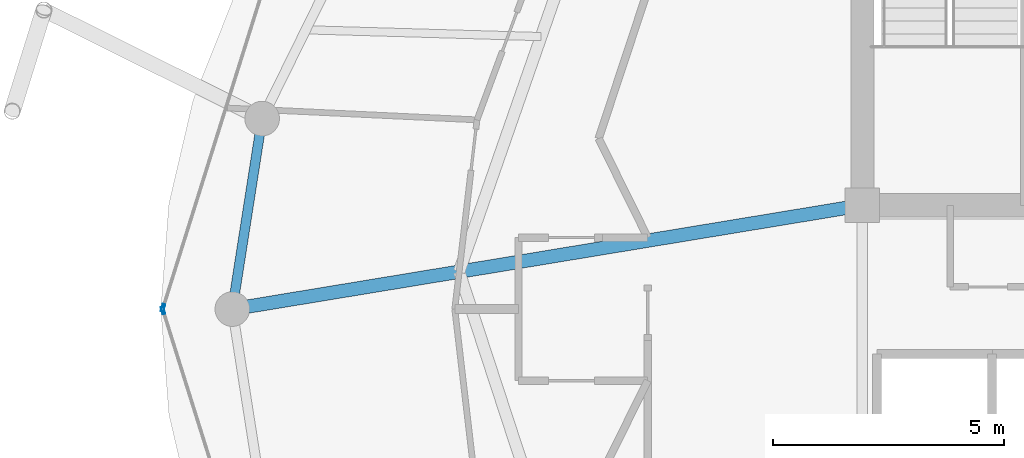
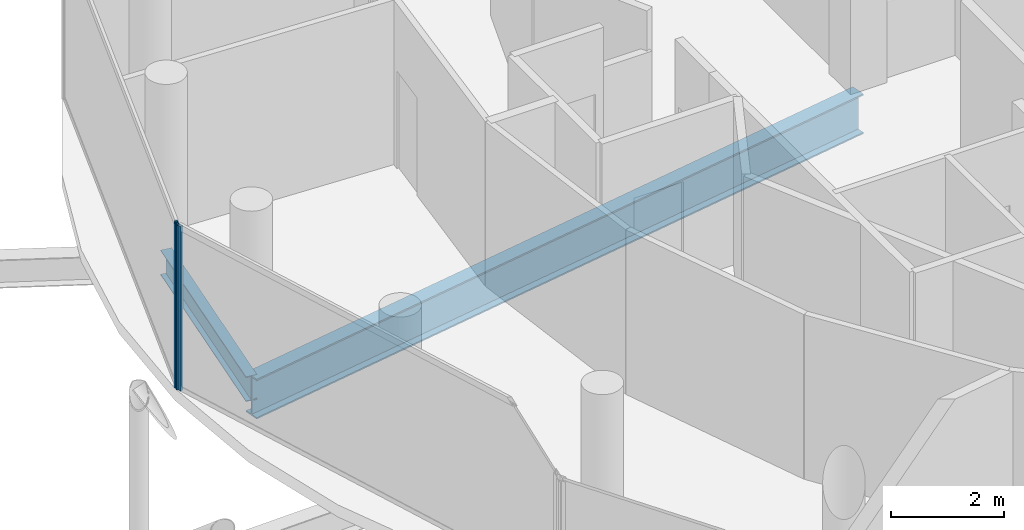
# One storey, part 6 of 24: 2 beams, 2 members, 2 elements without a shape of their own.
"""IFC4 building model written with IfcOpenShell, lengths in metres."""

from ifc_helpers import new_model, si_unit, direction, frame, origin, origin_2d, place, context, subcontext, project, spatial, hollow_rectangle, i_section, extrude, material, layer, layer_set, material_profile, profile_set, type_object, element, aggregate, save


model = new_model("IFC4")

# Units and contexts
model_context = context("Model", 3, precision=1e-05, world=origin(), true_north=direction((0.0, 1.0)))
body_context = subcontext(model_context, "Body", "Model", "MODEL_VIEW")
ifc_project = project(units=[si_unit("LENGTHUNIT", "METRE"), si_unit("AREAUNIT", "SQUARE_METRE"), si_unit("VOLUMEUNIT", "CUBIC_METRE"), si_unit("PLANEANGLEUNIT", "RADIAN"), si_unit("MASSUNIT", "GRAM", prefix="KILO")], contexts=[model_context])

# Site, building, storey
site_placement = place(None, origin())
site = spatial("IfcSite", under=ifc_project, at=site_placement, CompositionType="ELEMENT")
building_placement = place(site_placement, origin())
building = spatial("IfcBuilding", under=site, at=building_placement, Name="Nuhasar Tower", CompositionType="ELEMENT")
storey_placement = place(building_placement, frame((0.0, 0.0, 263.199951171875)))
storey = spatial("IfcBuildingStorey", under=building, at=storey_placement, Name="L65", CompositionType="ELEMENT", Elevation=263.199951171875)

# Beams
ifc_material_1 = material(Name="Steel S355", Category="steel")
ifc_material_profile_1 = material_profile(ifc_material_1, i_section(OverallWidth=0.2919921875, OverallDepth=0.85888671875, WebThickness=0.01708984375, FlangeThickness=0.031005859375, at=origin_2d()), Name="W33X169")
ifc_profile_set_1 = profile_set([ifc_material_profile_1], Name="Steel S355")
beam_type_1 = type_object("IfcBeamType", Name="BM-POD-W33X169", PredefinedType="BEAM", material=ifc_profile_set_1)
beam_1_placement = place(storey_placement, frame((33.699951171875, 29.050048828125, -0.68994140625), z_axis=(-0.986685215874, -0.162641583786, 0.0), x_axis=(0.162641583786, -0.986685215874, 0.0)))
element("IfcBeam", 1, at=beam_1_placement, inside=storey, type_object=beam_type_1, Name="L65 Radial Floor Girder 08", PredefinedType="BEAM", context=body_context, shape_type="SweptSolid", body=[
    extrude(i_section(OverallWidth=0.2919921875, OverallDepth=0.85888671875, WebThickness=0.01708984375, FlangeThickness=0.031005859375, at=origin_2d()), origin(), (0.0, 0.0, 1.0), 13.833984375),
])
ifc_material_profile_2 = material_profile(ifc_material_1, i_section(OverallWidth=0.2099609375, OverallDepth=0.537109375, WebThickness=0.010986328125, FlangeThickness=0.017333984375, at=origin_2d()), Name="W21X68")
ifc_profile_set_2 = profile_set([ifc_material_profile_2], Name="Steel S355")
beam_type_2 = type_object("IfcBeamType", Name="BM-RING-W21X68", PredefinedType="SPANDREL", material=ifc_profile_set_2)
beam_2_placement = place(storey_placement, frame((20.696044921875, 30.927978515625, -0.529052734375), z_axis=(-0.154612165232, -0.987975241776, 0.0), x_axis=(0.987975241776, -0.154612165232, 0.0)))
element("IfcBeam", 2, at=beam_2_placement, inside=storey, type_object=beam_type_2, Name="L65 Perimeter Ring Spandrel 12", PredefinedType="SPANDREL", context=body_context, shape_type="SweptSolid", body=[
    extrude(i_section(OverallWidth=0.2099609375, OverallDepth=0.537109375, WebThickness=0.010986328125, FlangeThickness=0.017333984375, at=origin_2d()), origin(), (0.0, 0.0, 1.0), 4.17822265625),
])

# Curtain wall, member
ifc_material_2 = material(Name="Aluminium 6063-T6", Category="aluminium")
ifc_layer = layer(ifc_material_2, 0.18994140625)
ifc_layer_set = layer_set([ifc_layer], Name="Aluminium 6063-T6")
curtain_wall_type = type_object("IfcCurtainWallType", Name="CW-Z4-PEN", PredefinedType="NOTDEFINED", material=ifc_layer_set)
curtain_wall_1_placement = place(storey_placement, origin())
curtain_wall_1 = element("IfcCurtainWall", 3, at=curtain_wall_1_placement, inside=storey, type_object=curtain_wall_type, Name="L65 Unitised Curtain Wall 06", PredefinedType="NOTDEFINED")
ifc_material_profile_3 = material_profile(ifc_material_2, hollow_rectangle(XDim=0.06005859375, YDim=0.1650390625, WallThickness=0.0048828125, at=origin_2d()), Name="CWM-5")
ifc_profile_set_3 = profile_set([ifc_material_profile_3], Name="Aluminium 6063-T6")
member_type = type_object("IfcMemberType", Name="CW-MUL-S5", PredefinedType="MULLION", material=ifc_profile_set_3)
member_1_placement = place(storey_placement, frame((18.549072265625, 26.82861328125, 0.0), z_axis=(0.0, 0.0, 1.0), x_axis=(0.954078526601, -0.299556614146, 0.0)))
member_1 = element("IfcMember", 4, at=member_1_placement, type_object=member_type, Name="CW-Z4 mullion 2", PredefinedType="MULLION", context=body_context, shape_type="SweptSolid", body=[
    extrude(hollow_rectangle(XDim=0.06005859375, YDim=0.1650390625, WallThickness=0.0048828125, at=origin_2d()), origin(), (0.0, 0.0, 1.0), 3.5400390625),
])
aggregate(curtain_wall_1, [member_1])

curtain_wall_2_placement = place(storey_placement, origin())
curtain_wall_2 = element("IfcCurtainWall", 5, at=curtain_wall_2_placement, inside=storey, type_object=curtain_wall_type, Name="L65 Unitised Curtain Wall 07", PredefinedType="NOTDEFINED")
member_2_placement = place(storey_placement, frame((18.549072265625, 26.771484375, 0.0), z_axis=(0.0, 0.0, 1.0), x_axis=(0.954078526601, 0.299556614146, 0.0)))
member_2 = element("IfcMember", 6, at=member_2_placement, type_object=member_type, Name="CW-Z4 mullion 1", PredefinedType="MULLION", context=body_context, shape_type="SweptSolid", body=[
    extrude(hollow_rectangle(XDim=0.06005859375, YDim=0.1650390625, WallThickness=0.0048828125, at=origin_2d()), origin(), (0.0, 0.0, 1.0), 3.5400390625),
])
aggregate(curtain_wall_2, [member_2])

save(model, "model.ifc")
